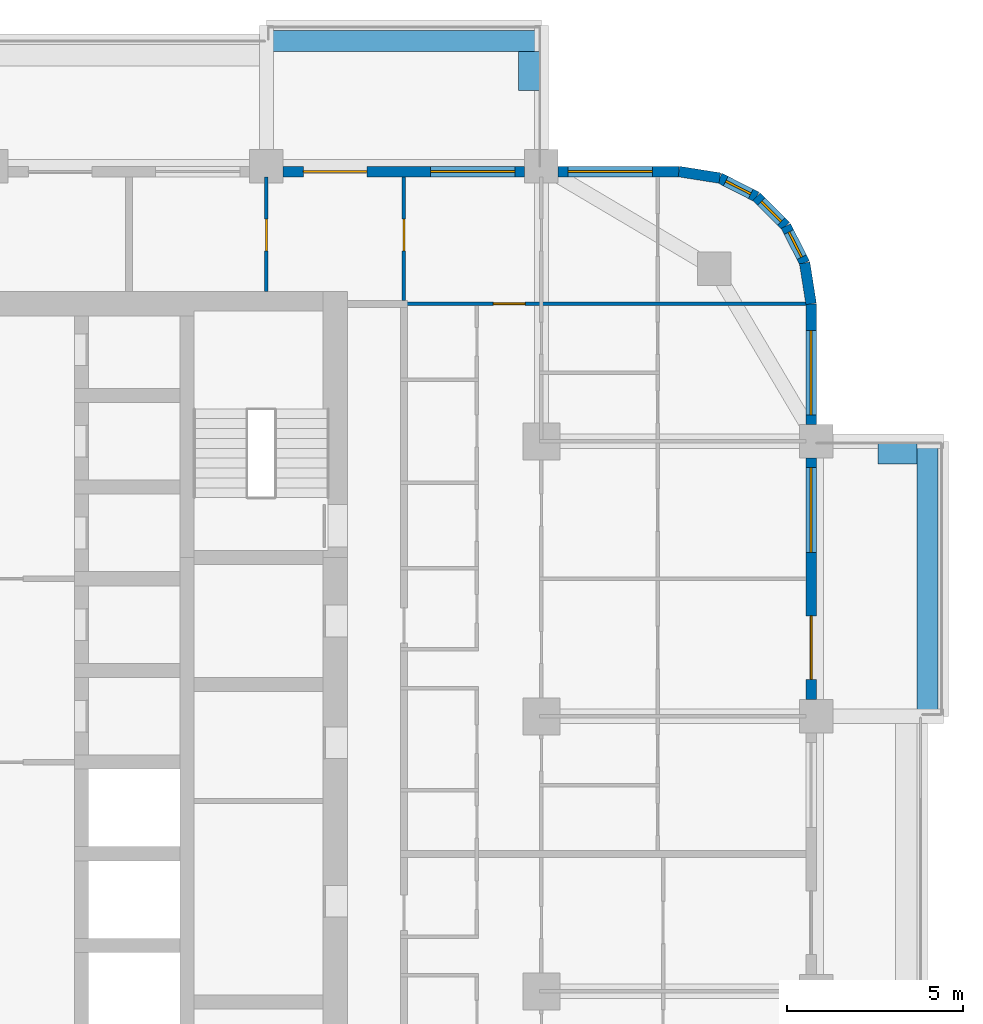
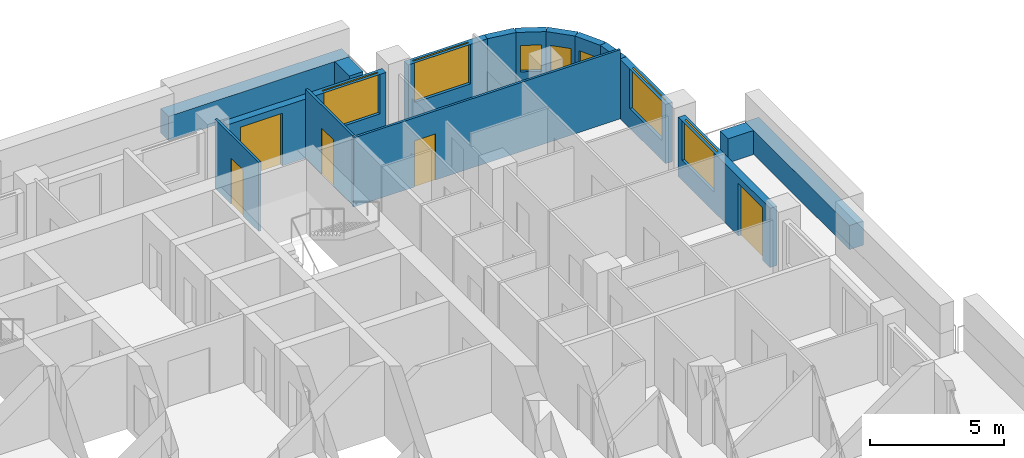
# One storey, part 13 of 17: 16 walls, 7 windows, 5 doors, 12 openings.
"""IFC4 building model written with IfcOpenShell, lengths in metres."""

from ifc_helpers import new_model, si_unit, direction, frame, frame_2d, origin, place, context, subcontext, project, spatial, rectangle, extrude, material, layer, layer_set, type_object, element, fill, save


model = new_model("IFC4")

# Units and contexts
model_context = context("Model", 3, precision=1e-05, world=origin(), true_north=direction((0.0, 1.0)))
body_context = subcontext(model_context, "Body", "Model", "MODEL_VIEW")
ifc_project = project(units=[si_unit("LENGTHUNIT", "METRE"), si_unit("AREAUNIT", "SQUARE_METRE"), si_unit("VOLUMEUNIT", "CUBIC_METRE"), si_unit("PLANEANGLEUNIT", "RADIAN"), si_unit("MASSUNIT", "GRAM", prefix="KILO")], contexts=[model_context])

# Site, building, storey
site_placement = place(None, origin())
site = spatial("IfcSite", under=ifc_project, at=site_placement, CompositionType="ELEMENT")
building_placement = place(site_placement, origin())
building = spatial("IfcBuilding", under=site, at=building_placement, Name="Ludao Terraces", CompositionType="ELEMENT")
storey_placement = place(building_placement, frame((0.0, 0.0, 88.60009765625)))
storey = spatial("IfcBuildingStorey", under=building, at=storey_placement, Name="L24", CompositionType="ELEMENT", Elevation=88.60009765625)

# Walls
ifc_material_1 = material(Name="Concrete C40", Category="concrete")
ifc_layer_1 = layer(ifc_material_1, 0.60009765625)
ifc_layer_set_1 = layer_set([ifc_layer_1], Name="ENV Planter trough 600")
wall_type_1 = type_object("IfcWallType", Name="ENV Planter trough 600", PredefinedType="USERDEFINED", material=ifc_layer_set_1)
wall_1_placement = place(storey_placement, frame((111.550048828125, 72.800048828125, 0.0), z_axis=(0.0, 0.0, 1.0), x_axis=(0.0, 1.0, 0.0)))
element("IfcWall", 1, at=wall_1_placement, inside=storey, type_object=wall_type_1, Name="PL-L24-E4", ObjectType="PLANTER", PredefinedType="USERDEFINED", context=body_context, shape_type="SweptSolid", body=[
    extrude(rectangle(XDim=7.800048828125, YDim=0.60009765625, at=frame_2d((3.89990234375, 0.0))), origin(), (0.0, 0.0, 1.0), 1.099853515625),
])
wall_2_placement = place(storey_placement, frame((111.25, 80.25, 0.0), z_axis=(0.0, 0.0, 1.0), x_axis=(-1.0, 0.0, 0.0)))
element("IfcWall", 2, at=wall_2_placement, inside=storey, type_object=wall_type_1, Name="PL-L24-E4-SB", ObjectType="PLANTER", PredefinedType="USERDEFINED", context=body_context, shape_type="SweptSolid", body=[
    extrude(rectangle(XDim=1.10009765625, YDim=0.60009765625, at=frame_2d((0.550048828125, 0.0))), origin(), (0.0, 0.0, 1.0), 1.099853515625),
])
wall_3_placement = place(storey_placement, frame((92.800048828125, 91.949951171875, 0.0), z_axis=(0.0, 0.0, 1.0), x_axis=(1.0, 0.0, 0.0)))
element("IfcWall", 3, at=wall_3_placement, inside=storey, type_object=wall_type_1, Name="PL-L24-N4", ObjectType="PLANTER", PredefinedType="USERDEFINED", context=body_context, shape_type="SweptSolid", body=[
    extrude(rectangle(XDim=7.800048828125, YDim=0.60009765625, at=frame_2d((3.89990234375, 0.0))), origin(), (0.0, 0.0, 1.0), 1.099853515625),
])
wall_4_placement = place(storey_placement, frame((100.25, 91.64990234375, 0.0), z_axis=(0.0, 0.0, 1.0), x_axis=(0.0, -1.0, 0.0)))
element("IfcWall", 4, at=wall_4_placement, inside=storey, type_object=wall_type_1, Name="PL-L24-N4-SB", ObjectType="PLANTER", PredefinedType="USERDEFINED", context=body_context, shape_type="SweptSolid", body=[
    extrude(rectangle(XDim=1.099853515625, YDim=0.60009765625, at=frame_2d((0.5498046875, 0.0))), origin(), (0.0, 0.0, 1.0), 1.099853515625),
])

# Wall, openings, door, window
ifc_material_2 = material(Name="Granite cladding", Category="masonry")
ifc_layer_2 = layer(ifc_material_2, 0.0400390625, Category="stone")
ifc_material_3 = material(Name="Mineral wool")
ifc_layer_3 = layer(ifc_material_3, 0.06005859375)
ifc_layer_4 = layer(ifc_material_1, 0.199951171875, Category="concrete")
ifc_layer_set_2 = layer_set([ifc_layer_2, ifc_layer_3, ifc_layer_4], Name="ENV Stone-clad wall 300")
wall_type_2 = type_object("IfcWallType", Name="ENV Stone-clad wall 300", PredefinedType="SOLIDWALL", material=ifc_layer_set_2)
wall_5_placement = place(storey_placement, frame((108.25, 73.27490234375, 0.0), z_axis=(0.0, 0.0, 1.0), x_axis=(0.0, 1.0, 0.0)))
wall_5 = element("IfcWall", 5, at=wall_5_placement, inside=storey, type_object=wall_type_2, Name="EW-L24-E5", PredefinedType="SOLIDWALL", context=body_context, shape_type="SweptSolid", body=[
    extrude(rectangle(XDim=6.85009765625, YDim=0.300048828125, at=frame_2d((3.425048828125, 0.0))), origin(), (0.0, 0.0, 1.0), 2.699951171875),
])
opening_1_placement = place(wall_5_placement, frame((0.574951171875, 0.0, 0.0)))
opening_1 = element("IfcOpeningElement", 6, at=opening_1_placement, cuts=wall_5, Name="Opening BD", PredefinedType="OPENING", context=body_context, shape_type="SweptSolid", body=[
    extrude(rectangle(XDim=1.800048828125, YDim=2.39990234375, at=frame_2d((0.89990234375, 1.199951171875))), frame((0.0, 0.16015625, 0.0), z_axis=(0.0, -1.0, 0.0), x_axis=(1.0, 0.0, 0.0)), (0.0, 0.0, 1.0), 0.320068359375),
])
opening_2_placement = place(wall_5_placement, frame((4.175048828125, 0.0, 0.89990234375)))
opening_2 = element("IfcOpeningElement", 7, at=opening_2_placement, cuts=wall_5, Name="Opening W1", PredefinedType="OPENING", context=body_context, shape_type="SweptSolid", body=[
    extrude(rectangle(XDim=2.39990234375, YDim=1.800048828125, at=frame_2d((1.199951171875, 0.89990234375))), frame((0.0, 0.16015625, 0.0), z_axis=(0.0, -1.0, 0.0), x_axis=(1.0, 0.0, 0.0)), (0.0, 0.0, 1.0), 0.320068359375),
])
ifc_material_4 = material(Name="Aluminium glazed door", Category="aluminium")
ifc_layer_5 = layer(ifc_material_4, 0.06005859375)
ifc_layer_set_3 = layer_set([ifc_layer_5], Name="ENV Balcony door BD 1800x2400")
door_type_1 = type_object("IfcDoorType", Name="ENV Balcony door BD 1800x2400", OperationType="DOUBLE_DOOR_SINGLE_SWING", PredefinedType="DOOR", material=ifc_layer_set_3)
door_1_placement = place(opening_1_placement, origin())
door_1 = element("IfcDoor", 8, at=door_1_placement, inside=storey, type_object=door_type_1, Name="BD-L24-E5-1", OperationType="DOUBLE_DOOR_SINGLE_SWING", OverallHeight=2.39990234375, OverallWidth=1.800048828125, PredefinedType="DOOR", context=body_context, shape_type="SweptSolid", body=[
    extrude(rectangle(XDim=1.800048828125, YDim=2.39990234375, at=frame_2d((0.89990234375, 1.199951171875))), frame((0.0, 0.02490234375, 0.0), z_axis=(0.0, -1.0, 0.0), x_axis=(1.0, 0.0, 0.0)), (0.0, 0.0, 1.0), 0.050048828125),
])
fill(opening_1, door_1)
ifc_material_5 = material(Name="Clear glass in aluminium frame", Category="aluminium")
ifc_layer_6 = layer(ifc_material_5, 0.06005859375)
ifc_layer_set_4 = layer_set([ifc_layer_6], Name="ENV Window W1 2400x1800")
window_type_1 = type_object("IfcWindowType", Name="ENV Window W1 2400x1800", PartitioningType="DOUBLE_PANEL_VERTICAL", PredefinedType="WINDOW", material=ifc_layer_set_4)
window_1_placement = place(opening_2_placement, origin())
window_1 = element("IfcWindow", 9, at=window_1_placement, inside=storey, type_object=window_type_1, Name="W-L24-E5-2", OverallHeight=1.800048828125, OverallWidth=2.39990234375, PartitioningType="DOUBLE_PANEL_VERTICAL", PredefinedType="WINDOW", context=body_context, shape_type="SweptSolid", body=[
    extrude(rectangle(XDim=2.39990234375, YDim=1.800048828125, at=frame_2d((1.199951171875, 0.89990234375))), frame((0.0, 0.030029296875, 0.0), z_axis=(0.0, -1.0, 0.0), x_axis=(1.0, 0.0, 0.0)), (0.0, 0.0, 1.0), 0.06005859375),
])
fill(opening_2, window_1)

# Wall, opening, window
wall_6_placement = place(storey_placement, frame((108.25, 81.074951171875, 0.0), z_axis=(0.0, 0.0, 1.0), x_axis=(0.0, 1.0, 0.0)))
wall_6 = element("IfcWall", 10, at=wall_6_placement, inside=storey, type_object=wall_type_2, Name="EW-L24-E6", PredefinedType="SOLIDWALL", context=body_context, shape_type="SweptSolid", body=[
    extrude(rectangle(XDim=3.425048828125, YDim=0.300048828125, at=frame_2d((1.71240234375, 0.0))), origin(), (0.0, 0.0, 1.0), 2.699951171875),
])
opening_3_placement = place(wall_6_placement, frame((0.27490234375, 0.0, 0.89990234375)))
opening_3 = element("IfcOpeningElement", 11, at=opening_3_placement, cuts=wall_6, Name="Opening W1", PredefinedType="OPENING", context=body_context, shape_type="SweptSolid", body=[
    extrude(rectangle(XDim=2.39990234375, YDim=1.800048828125, at=frame_2d((1.199951171875, 0.89990234375))), frame((0.0, 0.16015625, 0.0), z_axis=(0.0, -1.0, 0.0), x_axis=(1.0, 0.0, 0.0)), (0.0, 0.0, 1.0), 0.320068359375),
])
window_2_placement = place(opening_3_placement, origin())
window_2 = element("IfcWindow", 12, at=window_2_placement, inside=storey, type_object=window_type_1, Name="W-L24-E6-1", OverallHeight=1.800048828125, OverallWidth=2.39990234375, PartitioningType="DOUBLE_PANEL_VERTICAL", PredefinedType="WINDOW", context=body_context, shape_type="SweptSolid", body=[
    extrude(rectangle(XDim=2.39990234375, YDim=1.800048828125, at=frame_2d((1.199951171875, 0.89990234375))), frame((0.0, 0.030029296875, 0.0), z_axis=(0.0, -1.0, 0.0), x_axis=(1.0, 0.0, 0.0)), (0.0, 0.0, 1.0), 0.06005859375),
])
fill(opening_3, window_2)

# Wall, openings, door, window
wall_7_placement = place(storey_placement, frame((93.27490234375, 88.25, 0.0), z_axis=(0.0, 0.0, 1.0), x_axis=(1.0, 0.0, 0.0)))
wall_7 = element("IfcWall", 13, at=wall_7_placement, inside=storey, type_object=wall_type_2, Name="EW-L24-N5", PredefinedType="SOLIDWALL", context=body_context, shape_type="SweptSolid", body=[
    extrude(rectangle(XDim=6.85009765625, YDim=0.300048828125, at=frame_2d((3.425048828125, 0.0))), origin(), (0.0, 0.0, 1.0), 2.699951171875),
])
opening_4_placement = place(wall_7_placement, frame((0.574951171875, 0.0, 0.0)))
opening_4 = element("IfcOpeningElement", 14, at=opening_4_placement, cuts=wall_7, Name="Opening BD", PredefinedType="OPENING", context=body_context, shape_type="SweptSolid", body=[
    extrude(rectangle(XDim=1.800048828125, YDim=2.39990234375, at=frame_2d((0.89990234375, 1.199951171875))), frame((0.0, 0.16015625, 0.0), z_axis=(0.0, -1.0, 0.0), x_axis=(1.0, 0.0, 0.0)), (0.0, 0.0, 1.0), 0.320068359375),
])
opening_5_placement = place(wall_7_placement, frame((4.175048828125, 0.0, 0.89990234375)))
opening_5 = element("IfcOpeningElement", 15, at=opening_5_placement, cuts=wall_7, Name="Opening W1", PredefinedType="OPENING", context=body_context, shape_type="SweptSolid", body=[
    extrude(rectangle(XDim=2.39990234375, YDim=1.800048828125, at=frame_2d((1.199951171875, 0.89990234375))), frame((0.0, 0.16015625, 0.0), z_axis=(0.0, -1.0, 0.0), x_axis=(1.0, 0.0, 0.0)), (0.0, 0.0, 1.0), 0.320068359375),
])
door_2_placement = place(opening_4_placement, origin())
door_2 = element("IfcDoor", 16, at=door_2_placement, inside=storey, type_object=door_type_1, Name="BD-L24-N5-1", OperationType="DOUBLE_DOOR_SINGLE_SWING", OverallHeight=2.39990234375, OverallWidth=1.800048828125, PredefinedType="DOOR", context=body_context, shape_type="SweptSolid", body=[
    extrude(rectangle(XDim=1.800048828125, YDim=2.39990234375, at=frame_2d((0.89990234375, 1.199951171875))), frame((0.0, 0.02490234375, 0.0), z_axis=(0.0, -1.0, 0.0), x_axis=(1.0, 0.0, 0.0)), (0.0, 0.0, 1.0), 0.050048828125),
])
fill(opening_4, door_2)
window_3_placement = place(opening_5_placement, origin())
window_3 = element("IfcWindow", 17, at=window_3_placement, inside=storey, type_object=window_type_1, Name="W-L24-N5-2", OverallHeight=1.800048828125, OverallWidth=2.39990234375, PartitioningType="DOUBLE_PANEL_VERTICAL", PredefinedType="WINDOW", context=body_context, shape_type="SweptSolid", body=[
    extrude(rectangle(XDim=2.39990234375, YDim=1.800048828125, at=frame_2d((1.199951171875, 0.89990234375))), frame((0.0, 0.030029296875, 0.0), z_axis=(0.0, -1.0, 0.0), x_axis=(1.0, 0.0, 0.0)), (0.0, 0.0, 1.0), 0.06005859375),
])
fill(opening_5, window_3)

# Wall, opening, window
wall_8_placement = place(storey_placement, frame((101.074951171875, 88.25, 0.0), z_axis=(0.0, 0.0, 1.0), x_axis=(1.0, 0.0, 0.0)))
wall_8 = element("IfcWall", 18, at=wall_8_placement, inside=storey, type_object=wall_type_2, Name="EW-L24-N6", PredefinedType="SOLIDWALL", context=body_context, shape_type="SweptSolid", body=[
    extrude(rectangle(XDim=3.425048828125, YDim=0.300048828125, at=frame_2d((1.71240234375, 0.0))), origin(), (0.0, 0.0, 1.0), 2.699951171875),
])
opening_6_placement = place(wall_8_placement, frame((0.27490234375, 0.0, 0.89990234375)))
opening_6 = element("IfcOpeningElement", 19, at=opening_6_placement, cuts=wall_8, Name="Opening W1", PredefinedType="OPENING", context=body_context, shape_type="SweptSolid", body=[
    extrude(rectangle(XDim=2.39990234375, YDim=1.800048828125, at=frame_2d((1.199951171875, 0.89990234375))), frame((0.0, 0.16015625, 0.0), z_axis=(0.0, -1.0, 0.0), x_axis=(1.0, 0.0, 0.0)), (0.0, 0.0, 1.0), 0.320068359375),
])
window_4_placement = place(opening_6_placement, origin())
window_4 = element("IfcWindow", 20, at=window_4_placement, inside=storey, type_object=window_type_1, Name="W-L24-N6-1", OverallHeight=1.800048828125, OverallWidth=2.39990234375, PartitioningType="DOUBLE_PANEL_VERTICAL", PredefinedType="WINDOW", context=body_context, shape_type="SweptSolid", body=[
    extrude(rectangle(XDim=2.39990234375, YDim=1.800048828125, at=frame_2d((1.199951171875, 0.89990234375))), frame((0.0, 0.030029296875, 0.0), z_axis=(0.0, -1.0, 0.0), x_axis=(1.0, 0.0, 0.0)), (0.0, 0.0, 1.0), 0.06005859375),
])
fill(opening_6, window_4)

# Wall
wall_9_placement = place(storey_placement, frame((108.25, 84.5, 0.0), z_axis=(0.0, 0.0, 1.0), x_axis=(-0.156496880861, 0.987678452879, 0.0)))
element("IfcWall", 21, at=wall_9_placement, inside=storey, type_object=wall_type_2, Name="EW-L24-NE1", PredefinedType="SOLIDWALL", context=body_context, shape_type="SweptSolid", body=[
    extrude(rectangle(XDim=1.173095703125, YDim=0.300048828125, at=frame_2d((0.58642578125, 0.0))), origin(), (0.0, 0.0, 1.0), 2.699951171875),
])

# Wall, opening, window
wall_10_placement = place(storey_placement, frame((108.06640625, 85.65869140625, 0.0), z_axis=(0.0, 0.0, 1.0), x_axis=(-0.454025524128, 0.890988677504, 0.0)))
wall_10 = element("IfcWall", 22, at=wall_10_placement, inside=storey, type_object=wall_type_2, Name="EW-L24-NE2", PredefinedType="SOLIDWALL", context=body_context, shape_type="SweptSolid", body=[
    extrude(rectangle(XDim=1.17333984375, YDim=0.300048828125, at=frame_2d((0.586669921875, 0.0))), origin(), (0.0, 0.0, 1.0), 2.699951171875),
])
opening_7_placement = place(wall_10_placement, frame((0.1865234375, 0.0, 0.89990234375)))
opening_7 = element("IfcOpeningElement", 23, at=opening_7_placement, cuts=wall_10, Name="Opening W3", PredefinedType="OPENING", context=body_context, shape_type="SweptSolid", body=[
    extrude(rectangle(XDim=0.800048828125, YDim=1.199951171875, at=frame_2d((0.39990234375, 0.60009765625))), frame((0.0, 0.16015625, 0.0), z_axis=(0.0, -1.0, 0.0), x_axis=(1.0, 0.0, 0.0)), (0.0, 0.0, 1.0), 0.320068359375),
])
ifc_layer_7 = layer(ifc_material_5, 0.06005859375)
ifc_layer_set_5 = layer_set([ifc_layer_7], Name="ENV Window W3 800x1200")
window_type_2 = type_object("IfcWindowType", Name="ENV Window W3 800x1200", PartitioningType="SINGLE_PANEL", PredefinedType="WINDOW", material=ifc_layer_set_5)
window_5_placement = place(opening_7_placement, origin())
window_5 = element("IfcWindow", 24, at=window_5_placement, inside=storey, type_object=window_type_2, Name="W-L24-NE2", OverallHeight=1.199951171875, OverallWidth=0.800048828125, PartitioningType="SINGLE_PANEL", PredefinedType="WINDOW", context=body_context, shape_type="SweptSolid", body=[
    extrude(rectangle(XDim=0.800048828125, YDim=1.199951171875, at=frame_2d((0.39990234375, 0.60009765625))), frame((0.0, 0.030029296875, 0.0), z_axis=(0.0, -1.0, 0.0), x_axis=(1.0, 0.0, 0.0)), (0.0, 0.0, 1.0), 0.06005859375),
])
fill(opening_7, window_5)

wall_11_placement = place(storey_placement, frame((107.53369140625, 86.7041015625, 0.0), z_axis=(0.0, 0.0, 1.0), x_axis=(-0.707106781187, 0.707106781187, 0.0)))
wall_11 = element("IfcWall", 25, at=wall_11_placement, inside=storey, type_object=wall_type_2, Name="EW-L24-NE3", PredefinedType="SOLIDWALL", context=body_context, shape_type="SweptSolid", body=[
    extrude(rectangle(XDim=1.173095703125, YDim=0.300048828125, at=frame_2d((0.58642578125, 0.0))), origin(), (0.0, 0.0, 1.0), 2.699951171875),
])
opening_8_placement = place(wall_11_placement, frame((0.1865234375, 0.0, 0.89990234375)))
opening_8 = element("IfcOpeningElement", 26, at=opening_8_placement, cuts=wall_11, Name="Opening W3", PredefinedType="OPENING", context=body_context, shape_type="SweptSolid", body=[
    extrude(rectangle(XDim=0.800048828125, YDim=1.199951171875, at=frame_2d((0.39990234375, 0.60009765625))), frame((0.0, 0.16015625, 0.0), z_axis=(0.0, -1.0, 0.0), x_axis=(1.0, 0.0, 0.0)), (0.0, 0.0, 1.0), 0.320068359375),
])
window_6_placement = place(opening_8_placement, origin())
window_6 = element("IfcWindow", 27, at=window_6_placement, inside=storey, type_object=window_type_2, Name="W-L24-NE3", OverallHeight=1.199951171875, OverallWidth=0.800048828125, PartitioningType="SINGLE_PANEL", PredefinedType="WINDOW", context=body_context, shape_type="SweptSolid", body=[
    extrude(rectangle(XDim=0.800048828125, YDim=1.199951171875, at=frame_2d((0.39990234375, 0.60009765625))), frame((0.0, 0.030029296875, 0.0), z_axis=(0.0, -1.0, 0.0), x_axis=(1.0, 0.0, 0.0)), (0.0, 0.0, 1.0), 0.06005859375),
])
fill(opening_8, window_6)

wall_12_placement = place(storey_placement, frame((106.7041015625, 87.53369140625, 0.0), z_axis=(0.0, 0.0, 1.0), x_axis=(-0.890988677504, 0.454025524128, 0.0)))
wall_12 = element("IfcWall", 28, at=wall_12_placement, inside=storey, type_object=wall_type_2, Name="EW-L24-NE4", PredefinedType="SOLIDWALL", context=body_context, shape_type="SweptSolid", body=[
    extrude(rectangle(XDim=1.17333984375, YDim=0.300048828125, at=frame_2d((0.586669921875, 0.0))), origin(), (0.0, 0.0, 1.0), 2.699951171875),
])
opening_9_placement = place(wall_12_placement, frame((0.1865234375, 0.0, 0.89990234375)))
opening_9 = element("IfcOpeningElement", 29, at=opening_9_placement, cuts=wall_12, Name="Opening W3", PredefinedType="OPENING", context=body_context, shape_type="SweptSolid", body=[
    extrude(rectangle(XDim=0.800048828125, YDim=1.199951171875, at=frame_2d((0.39990234375, 0.60009765625))), frame((0.0, 0.16015625, 0.0), z_axis=(0.0, -1.0, 0.0), x_axis=(1.0, 0.0, 0.0)), (0.0, 0.0, 1.0), 0.320068359375),
])
window_7_placement = place(opening_9_placement, origin())
window_7 = element("IfcWindow", 30, at=window_7_placement, inside=storey, type_object=window_type_2, Name="W-L24-NE4", OverallHeight=1.199951171875, OverallWidth=0.800048828125, PartitioningType="SINGLE_PANEL", PredefinedType="WINDOW", context=body_context, shape_type="SweptSolid", body=[
    extrude(rectangle(XDim=0.800048828125, YDim=1.199951171875, at=frame_2d((0.39990234375, 0.60009765625))), frame((0.0, 0.030029296875, 0.0), z_axis=(0.0, -1.0, 0.0), x_axis=(1.0, 0.0, 0.0)), (0.0, 0.0, 1.0), 0.06005859375),
])
fill(opening_9, window_7)

# Wall
wall_13_placement = place(storey_placement, frame((105.65869140625, 88.06640625, 0.0), z_axis=(0.0, 0.0, 1.0), x_axis=(-0.987678452879, 0.156496880861, 0.0)))
element("IfcWall", 31, at=wall_13_placement, inside=storey, type_object=wall_type_2, Name="EW-L24-NE5", PredefinedType="SOLIDWALL", context=body_context, shape_type="SweptSolid", body=[
    extrude(rectangle(XDim=1.173095703125, YDim=0.300048828125, at=frame_2d((0.58642578125, 0.0))), origin(), (0.0, 0.0, 1.0), 2.699951171875),
])

# Wall, opening, door
ifc_material_6 = material(Name="Gypsum plasterboard", Category="gypsum")
ifc_layer_8 = layer(ifc_material_6, 0.012451171875, Category="gypsum")
ifc_layer_9 = layer(ifc_material_3, 0.06005859375, Name="insulation")
ifc_material_7 = material(Name="Steel Q235", Category="steel")
ifc_layer_10 = layer(ifc_material_7, 0.014892578125, Name="stud")
ifc_layer_11 = layer(ifc_material_6, 0.012451171875, Category="gypsum")
ifc_layer_set_6 = layer_set([ifc_layer_8, ifc_layer_9, ifc_layer_10, ifc_layer_11], Name="INT Partition 100")
wall_type_3 = type_object("IfcWallType", Name="INT Partition 100", PredefinedType="PARTITIONING", material=ifc_layer_set_6)
wall_14_placement = place(storey_placement, frame((96.60009765625, 84.5, 0.0), z_axis=(0.0, 0.0, 1.0), x_axis=(1.0, 0.0, 0.0)))
wall_14 = element("IfcWall", 32, at=wall_14_placement, inside=storey, type_object=wall_type_3, Name="PW-L24-PW078", PredefinedType="PARTITIONING", context=body_context, shape_type="SweptSolid", body=[
    extrude(rectangle(XDim=11.5, YDim=0.10009765625, at=frame_2d((5.75, 0.0))), origin(), (0.0, 0.0, 1.0), 3.14990234375),
])
opening_10_placement = place(wall_14_placement, frame((2.635009765625, 0.0, 0.0)))
opening_10 = element("IfcOpeningElement", 33, at=opening_10_placement, cuts=wall_14, Name="Opening R07-154", PredefinedType="OPENING", context=body_context, shape_type="SweptSolid", body=[
    extrude(rectangle(XDim=0.89990234375, YDim=2.10009765625, at=frame_2d((0.449951171875, 1.050048828125))), frame((0.0, 0.06005859375, 0.0), z_axis=(0.0, -1.0, 0.0), x_axis=(1.0, 0.0, 0.0)), (0.0, 0.0, 1.0), 0.1201171875),
])
ifc_material_8 = material(Name="Timber door leaf", Category="wood")
door_type_2 = type_object("IfcDoorType", Name="INT Room door 900", OperationType="SINGLE_SWING_LEFT", PredefinedType="DOOR", material=ifc_material_8)
door_3_placement = place(opening_10_placement, origin())
door_3 = element("IfcDoor", 34, at=door_3_placement, inside=storey, type_object=door_type_2, Name="DOOR 154", OperationType="SINGLE_SWING_RIGHT", OverallHeight=2.10009765625, OverallWidth=0.89990234375, PredefinedType="DOOR", context=body_context, shape_type="SweptSolid", body=[
    extrude(rectangle(XDim=0.89990234375, YDim=2.10009765625, at=frame_2d((0.449951171875, 1.050048828125))), frame((0.0, 0.02490234375, 0.0), z_axis=(0.0, -1.0, 0.0), x_axis=(1.0, 0.0, 0.0)), (0.0, 0.0, 1.0), 0.050048828125),
])
fill(opening_10, door_3)

wall_15_placement = place(storey_placement, frame((92.800048828125, 84.85009765625, 0.0), z_axis=(0.0, 0.0, 1.0), x_axis=(0.0, 1.0, 0.0)))
wall_15 = element("IfcWall", 35, at=wall_15_placement, inside=storey, type_object=wall_type_3, Name="PW-L24-PW111", PredefinedType="PARTITIONING", context=body_context, shape_type="SweptSolid", body=[
    extrude(rectangle(XDim=3.25, YDim=0.10009765625, at=frame_2d((1.625, 0.0))), origin(), (0.0, 0.0, 1.0), 3.14990234375),
])
opening_11_placement = place(wall_15_placement, frame((1.14990234375, 0.0, 0.0)))
opening_11 = element("IfcOpeningElement", 36, at=opening_11_placement, cuts=wall_15, Name="Opening R07-161", PredefinedType="OPENING", context=body_context, shape_type="SweptSolid", body=[
    extrude(rectangle(XDim=0.89990234375, YDim=2.10009765625, at=frame_2d((0.449951171875, 1.050048828125))), frame((0.0, 0.06005859375, 0.0), z_axis=(0.0, -1.0, 0.0), x_axis=(1.0, 0.0, 0.0)), (0.0, 0.0, 1.0), 0.1201171875),
])
door_4_placement = place(opening_11_placement, origin())
door_4 = element("IfcDoor", 37, at=door_4_placement, inside=storey, type_object=door_type_2, Name="DOOR 161", OperationType="SINGLE_SWING_LEFT", OverallHeight=2.10009765625, OverallWidth=0.89990234375, PredefinedType="DOOR", context=body_context, shape_type="SweptSolid", body=[
    extrude(rectangle(XDim=0.89990234375, YDim=2.10009765625, at=frame_2d((0.449951171875, 1.050048828125))), frame((0.0, 0.02490234375, 0.0), z_axis=(0.0, -1.0, 0.0), x_axis=(1.0, 0.0, 0.0)), (0.0, 0.0, 1.0), 0.050048828125),
])
fill(opening_11, door_4)

wall_16_placement = place(storey_placement, frame((96.699951171875, 84.60009765625, 0.0), z_axis=(0.0, 0.0, 1.0), x_axis=(0.0, 1.0, 0.0)))
wall_16 = element("IfcWall", 38, at=wall_16_placement, inside=storey, type_object=wall_type_3, Name="PW-L24-PW116", PredefinedType="PARTITIONING", context=body_context, shape_type="SweptSolid", body=[
    extrude(rectangle(XDim=3.5, YDim=0.10009765625, at=frame_2d((1.75, 0.0))), origin(), (0.0, 0.0, 1.0), 3.14990234375),
])
opening_12_placement = place(wall_16_placement, frame((1.39990234375, 0.0, 0.0)))
opening_12 = element("IfcOpeningElement", 39, at=opening_12_placement, cuts=wall_16, Name="Opening R07-162", PredefinedType="OPENING", context=body_context, shape_type="SweptSolid", body=[
    extrude(rectangle(XDim=0.89990234375, YDim=2.10009765625, at=frame_2d((0.449951171875, 1.050048828125))), frame((0.0, 0.06005859375, 0.0), z_axis=(0.0, -1.0, 0.0), x_axis=(1.0, 0.0, 0.0)), (0.0, 0.0, 1.0), 0.1201171875),
])
door_5_placement = place(opening_12_placement, origin())
door_5 = element("IfcDoor", 40, at=door_5_placement, inside=storey, type_object=door_type_2, Name="DOOR 162", OperationType="SINGLE_SWING_RIGHT", OverallHeight=2.10009765625, OverallWidth=0.89990234375, PredefinedType="DOOR", context=body_context, shape_type="SweptSolid", body=[
    extrude(rectangle(XDim=0.89990234375, YDim=2.10009765625, at=frame_2d((0.449951171875, 1.050048828125))), frame((0.0, 0.02490234375, 0.0), z_axis=(0.0, -1.0, 0.0), x_axis=(1.0, 0.0, 0.0)), (0.0, 0.0, 1.0), 0.050048828125),
])
fill(opening_12, door_5)

save(model, "model.ifc")
